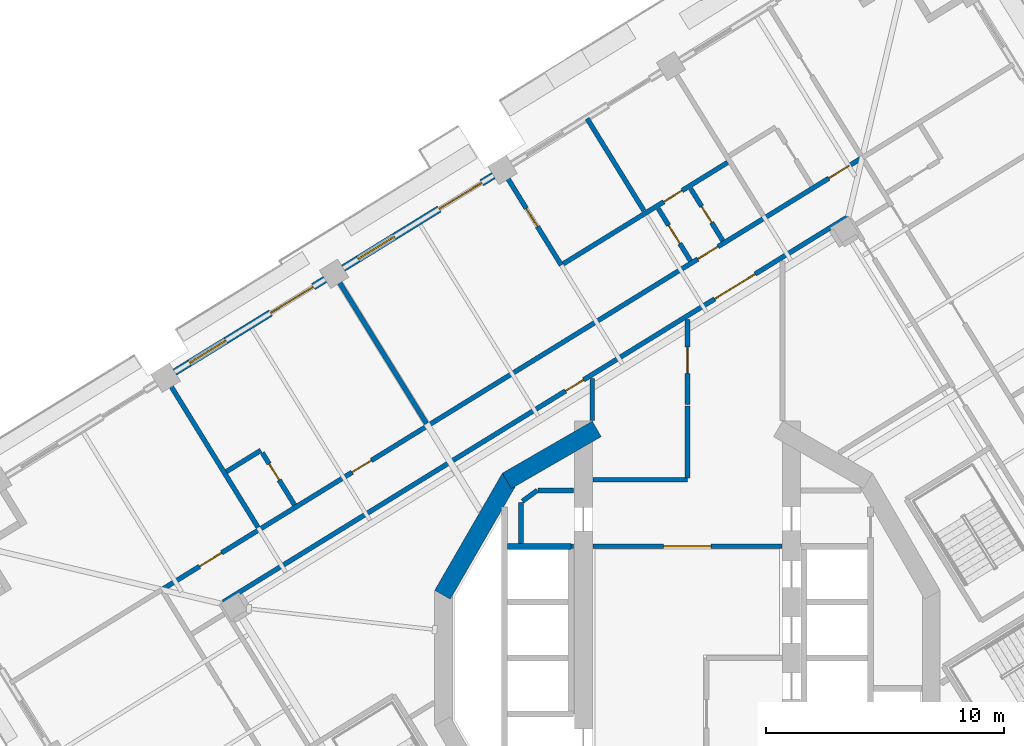
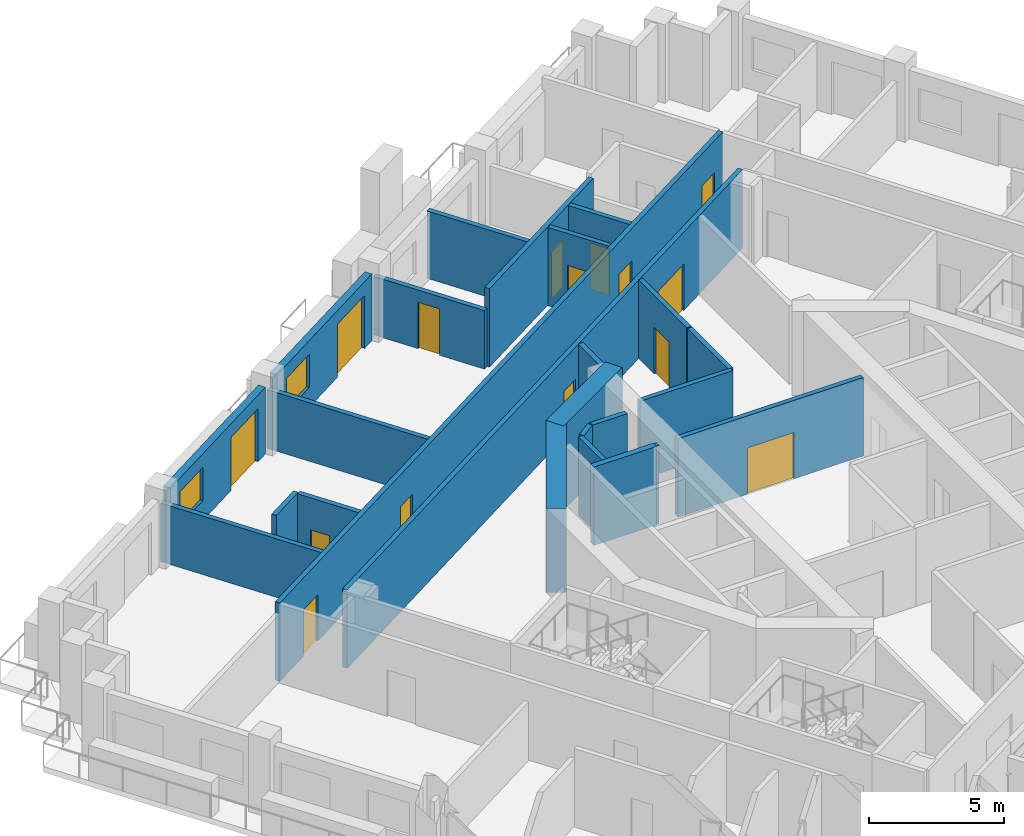
# One storey, part 12 of 22: 25 walls, 15 doors, 2 windows, 17 openings.
"""IFC4 building model written with IfcOpenShell, lengths in metres."""

from ifc_helpers import new_model, si_unit, direction, frame, frame_2d, origin, place, context, subcontext, project, spatial, rectangle, extrude, material, layer, layer_set, type_object, element, fill, save


model = new_model("IFC4")

# Units and contexts
model_context = context("Model", 3, precision=1e-05, world=origin(), true_north=direction((0.0, 1.0)))
body_context = subcontext(model_context, "Body", "Model", "MODEL_VIEW")
ifc_project = project(units=[si_unit("LENGTHUNIT", "METRE"), si_unit("AREAUNIT", "SQUARE_METRE"), si_unit("VOLUMEUNIT", "CUBIC_METRE"), si_unit("PLANEANGLEUNIT", "RADIAN"), si_unit("MASSUNIT", "GRAM", prefix="KILO")], contexts=[model_context])

# Site, building, storey
site_placement = place(None, origin())
site = spatial("IfcSite", under=ifc_project, at=site_placement, CompositionType="ELEMENT")
building_placement = place(site_placement, origin())
building = spatial("IfcBuilding", under=site, at=building_placement, Name="Cantera Rosa Tower", CompositionType="ELEMENT")
storey_placement = place(building_placement, frame((0.0, 0.0, 178.0)))
storey = spatial("IfcBuildingStorey", under=building, at=storey_placement, Name="L39", CompositionType="ELEMENT", Elevation=178.0)

# Wall, opening, door
ifc_material_1 = material(Name="Gypsum board partition")
ifc_layer_1 = layer(ifc_material_1, 0.199951171875)
ifc_layer_set_1 = layer_set([ifc_layer_1], Name="CORRIDOR WALL 200 H3550")
wall_type_1 = type_object("IfcWallType", Name="CORRIDOR WALL 200 H3550", PredefinedType="PARTITIONING", material=ifc_layer_set_1)
wall_1_placement = place(storey_placement, frame((-3.969970703125, 4.699951171875, 0.0), z_axis=(0.0, 0.0, 1.0), x_axis=(1.0, 0.0, 0.0)))
wall_1 = element("IfcWall", 1, at=wall_1_placement, inside=storey, type_object=wall_type_1, Name="CORRIDOR WALL L39-057", PredefinedType="PARTITIONING", context=body_context, shape_type="SweptSolid", body=[
    extrude(rectangle(XDim=7.93994140625, YDim=0.199951171875, at=frame_2d((3.969970703125, 0.0))), origin(), (0.0, 0.0, 1.0), 3.550048828125),
])
opening_1_placement = place(wall_1_placement, frame((2.969970703125, 0.0, 0.0)))
opening_1 = element("IfcOpeningElement", 2, at=opening_1_placement, cuts=wall_1, Name="Opening L39-012", PredefinedType="OPENING", context=body_context, shape_type="SweptSolid", body=[
    extrude(rectangle(XDim=2.0, YDim=2.10009765625, at=frame_2d((1.0, 1.050048828125))), frame((0.0, 0.10986328125, 0.0), z_axis=(0.0, -1.0, 0.0), x_axis=(1.0, 0.0, 0.0)), (0.0, 0.0, 1.0), 0.219970703125),
])
ifc_material_2 = material(Name="Steel S355J2 (EN 10025-2)", Category="steel")
door_type_1 = type_object("IfcDoorType", Name="LOBBY SCREEN DOOR 2000x2100", OperationType="NOTDEFINED", PredefinedType="DOOR", material=ifc_material_2)
door_1_placement = place(opening_1_placement, origin())
door_1 = element("IfcDoor", 3, at=door_1_placement, inside=storey, type_object=door_type_1, Name="DOOR L39-012", OperationType="NOTDEFINED", OverallHeight=2.10009765625, OverallWidth=2.0, PredefinedType="DOOR", context=body_context, shape_type="SweptSolid", body=[
    extrude(rectangle(XDim=2.0, YDim=2.10009765625, at=frame_2d((1.0, 1.050048828125))), frame((0.0, 0.02490234375, 0.0), z_axis=(0.0, -1.0, 0.0), x_axis=(1.0, 0.0, 0.0)), (0.0, 0.0, 1.0), 0.050048828125),
])
fill(opening_1, door_1)

# Walls
wall_2_placement = place(storey_placement, frame((-3.969970703125, 7.5, 0.0), z_axis=(0.0, 0.0, 1.0), x_axis=(1.0, 0.0, 0.0)))
element("IfcWall", 4, at=wall_2_placement, inside=storey, type_object=wall_type_1, Name="CORRIDOR WALL L39-058", PredefinedType="PARTITIONING", context=body_context, shape_type="SweptSolid", body=[
    extrude(rectangle(XDim=3.969970703125, YDim=0.199951171875, at=frame_2d((1.98486328125, 0.0))), origin(), (0.0, 0.0, 1.0), 3.550048828125),
])
wall_3_placement = place(storey_placement, frame((0.0, 7.580078125, 0.0), z_axis=(0.0, 0.0, 1.0), x_axis=(0.0, 1.0, 0.0)))
element("IfcWall", 5, at=wall_3_placement, inside=storey, type_object=wall_type_1, Name="CORRIDOR WALL L39-066", PredefinedType="PARTITIONING", context=body_context, shape_type="SweptSolid", body=[
    extrude(rectangle(XDim=3.01513671875, YDim=0.199951171875, at=frame_2d((1.507568359375, 0.0))), origin(), (0.0, 0.0, 1.0), 3.550048828125),
])

# Wall, opening, door
wall_4_placement = place(storey_placement, frame((0.0, 10.6552734375, 0.0), z_axis=(0.0, 0.0, 1.0), x_axis=(0.0, 1.0, 0.0)))
wall_4 = element("IfcWall", 6, at=wall_4_placement, inside=storey, type_object=wall_type_1, Name="CORRIDOR WALL L39-067", PredefinedType="PARTITIONING", context=body_context, shape_type="SweptSolid", body=[
    extrude(rectangle(XDim=3.57763671875, YDim=0.199951171875, at=frame_2d((1.788818359375, 0.0))), origin(), (0.0, 0.0, 1.0), 3.550048828125),
])
opening_2_placement = place(wall_4_placement, frame((1.31884765625, 0.0, 0.0)))
opening_2 = element("IfcOpeningElement", 7, at=opening_2_placement, cuts=wall_4, Name="Opening L39-016", PredefinedType="OPENING", context=body_context, shape_type="SweptSolid", body=[
    extrude(rectangle(XDim=1.10009765625, YDim=2.10009765625, at=frame_2d((0.550048828125, 1.050048828125))), frame((0.0, 0.10986328125, 0.0), z_axis=(0.0, -1.0, 0.0), x_axis=(1.0, 0.0, 0.0)), (0.0, 0.0, 1.0), 0.219970703125),
])
ifc_material_3 = material(Name="Timber door leaf", Category="wood")
door_type_2 = type_object("IfcDoorType", Name="ROOM DOOR 1100x2100", OperationType="NOTDEFINED", PredefinedType="DOOR", material=ifc_material_3)
door_2_placement = place(opening_2_placement, origin())
door_2 = element("IfcDoor", 8, at=door_2_placement, inside=storey, type_object=door_type_2, Name="DOOR L39-016", OperationType="NOTDEFINED", OverallHeight=2.10009765625, OverallWidth=1.10009765625, PredefinedType="DOOR", context=body_context, shape_type="SweptSolid", body=[
    extrude(rectangle(XDim=1.10009765625, YDim=2.10009765625, at=frame_2d((0.550048828125, 1.050048828125))), frame((0.0, 0.02490234375, 0.0), z_axis=(0.0, -1.0, 0.0), x_axis=(1.0, 0.0, 0.0)), (0.0, 0.0, 1.0), 0.050048828125),
])
fill(opening_2, door_2)

# Wall, openings, doors
wall_5_placement = place(storey_placement, frame((6.76123046875, 18.563232421875, 0.0), z_axis=(0.0, 0.0, 1.0), x_axis=(-0.851115762051, -0.524978056292, 0.0)))
wall_5 = element("IfcWall", 9, at=wall_5_placement, inside=storey, type_object=wall_type_1, Name="CORRIDOR WALL L39-088", PredefinedType="PARTITIONING", context=body_context, shape_type="SweptSolid", body=[
    extrude(rectangle(XDim=30.879638671875, YDim=0.199951171875, at=frame_2d((15.43994140625, 0.0))), origin(), (0.0, 0.0, 1.0), 3.550048828125),
])
opening_3_placement = place(wall_5_placement, frame((13.066650390625, 0.0, 0.0)))
opening_3 = element("IfcOpeningElement", 10, at=opening_3_placement, cuts=wall_5, Name="Opening L39-006", PredefinedType="OPENING", context=body_context, shape_type="SweptSolid", body=[
    extrude(rectangle(XDim=0.89990234375, YDim=2.10009765625, at=frame_2d((0.449951171875, 1.050048828125))), frame((0.0, 0.10986328125, 0.0), z_axis=(0.0, -1.0, 0.0), x_axis=(1.0, 0.0, 0.0)), (0.0, 0.0, 1.0), 0.219970703125),
])
opening_4_placement = place(wall_5_placement, frame((4.59423828125, 0.0, 0.0)))
opening_4 = element("IfcOpeningElement", 11, at=opening_4_placement, cuts=wall_5, Name="Opening L39-011", PredefinedType="OPENING", context=body_context, shape_type="SweptSolid", body=[
    extrude(rectangle(XDim=2.0, YDim=2.10009765625, at=frame_2d((1.0, 1.050048828125))), frame((0.0, 0.10986328125, 0.0), z_axis=(0.0, -1.0, 0.0), x_axis=(1.0, 0.0, 0.0)), (0.0, 0.0, 1.0), 0.219970703125),
])
door_3_placement = place(opening_4_placement, origin())
door_3 = element("IfcDoor", 12, at=door_3_placement, inside=storey, type_object=door_type_1, Name="DOOR L39-011", OperationType="NOTDEFINED", OverallHeight=2.10009765625, OverallWidth=2.0, PredefinedType="DOOR", context=body_context, shape_type="SweptSolid", body=[
    extrude(rectangle(XDim=2.0, YDim=2.10009765625, at=frame_2d((1.0, 1.050048828125))), frame((0.0, 0.02490234375, 0.0), z_axis=(0.0, -1.0, 0.0), x_axis=(1.0, 0.0, 0.0)), (0.0, 0.0, 1.0), 0.050048828125),
])
fill(opening_4, door_3)
ifc_material_4 = material(Name="Timber door leaf", Category="wood")
door_type_3 = type_object("IfcDoorType", Name="SERVICE DOOR 900x2100", OperationType="NOTDEFINED", PredefinedType="DOOR", material=ifc_material_4)
door_4_placement = place(opening_3_placement, origin())
door_4 = element("IfcDoor", 13, at=door_4_placement, inside=storey, type_object=door_type_3, Name="DOOR L39-006", OperationType="NOTDEFINED", OverallHeight=2.10009765625, OverallWidth=0.89990234375, PredefinedType="DOOR", context=body_context, shape_type="SweptSolid", body=[
    extrude(rectangle(XDim=0.89990234375, YDim=2.10009765625, at=frame_2d((0.449951171875, 1.050048828125))), frame((0.0, 0.02490234375, 0.0), z_axis=(0.0, -1.0, 0.0), x_axis=(1.0, 0.0, 0.0)), (0.0, 0.0, 1.0), 0.050048828125),
])
fill(opening_3, door_4)

wall_6_placement = place(storey_placement, frame((7.348388671875, 21.040283203125, 0.0), z_axis=(0.0, 0.0, 1.0), x_axis=(-0.85111711572, -0.524975861662, 0.0)))
wall_6 = element("IfcWall", 14, at=wall_6_placement, inside=storey, type_object=wall_type_1, Name="CORRIDOR WALL L39-092", PredefinedType="PARTITIONING", context=body_context, shape_type="SweptSolid", body=[
    extrude(rectangle(XDim=34.599853515625, YDim=0.199951171875, at=frame_2d((17.2998046875, 0.0))), origin(), (0.0, 0.0, 1.0), 3.550048828125),
])
opening_5_placement = place(wall_6_placement, frame((7.1201171875, 0.0, 0.0)))
opening_5 = element("IfcOpeningElement", 15, at=opening_5_placement, cuts=wall_6, Name="Opening L39-032", PredefinedType="OPENING", context=body_context, shape_type="SweptSolid", body=[
    extrude(rectangle(XDim=1.0, YDim=2.10009765625, at=frame_2d((0.5, 1.050048828125))), frame((0.0, 0.10986328125, 0.0), z_axis=(0.0, -1.0, 0.0), x_axis=(1.0, 0.0, 0.0)), (0.0, 0.0, 1.0), 0.219970703125),
])
opening_6_placement = place(wall_6_placement, frame((24.2451171875, 0.0, 0.0)))
opening_6 = element("IfcOpeningElement", 16, at=opening_6_placement, cuts=wall_6, Name="Opening L39-037", PredefinedType="OPENING", context=body_context, shape_type="SweptSolid", body=[
    extrude(rectangle(XDim=0.949951171875, YDim=2.10009765625, at=frame_2d((0.47509765625, 1.050048828125))), frame((0.0, 0.10986328125, 0.0), z_axis=(0.0, -1.0, 0.0), x_axis=(1.0, 0.0, 0.0)), (0.0, 0.0, 1.0), 0.219970703125),
])
opening_7_placement = place(wall_6_placement, frame((0.64990234375, 0.0, 0.0)))
opening_7 = element("IfcOpeningElement", 17, at=opening_7_placement, cuts=wall_6, Name="Opening L39-039", PredefinedType="OPENING", context=body_context, shape_type="SweptSolid", body=[
    extrude(rectangle(XDim=1.0, YDim=2.10009765625, at=frame_2d((0.5, 1.050048828125))), frame((0.0, 0.10986328125, 0.0), z_axis=(0.0, -1.0, 0.0), x_axis=(1.0, 0.0, 0.0)), (0.0, 0.0, 1.0), 0.219970703125),
])
opening_8_placement = place(wall_6_placement, frame((31.639892578125, 0.0, 0.0)))
opening_8 = element("IfcOpeningElement", 18, at=opening_8_placement, cuts=wall_6, Name="Opening L39-042", PredefinedType="OPENING", context=body_context, shape_type="SweptSolid", body=[
    extrude(rectangle(XDim=1.10009765625, YDim=2.10009765625, at=frame_2d((0.550048828125, 1.050048828125))), frame((0.0, 0.10986328125, 0.0), z_axis=(0.0, -1.0, 0.0), x_axis=(1.0, 0.0, 0.0)), (0.0, 0.0, 1.0), 0.219970703125),
])
ifc_material_5 = material(Name="Timber door leaf", Category="wood")
door_type_4 = type_object("IfcDoorType", Name="ENTRANCE DOOR 1000x2100", OperationType="NOTDEFINED", PredefinedType="DOOR", material=ifc_material_5)
door_5_placement = place(opening_5_placement, origin())
door_5 = element("IfcDoor", 19, at=door_5_placement, inside=storey, type_object=door_type_4, Name="DOOR L39-032", OperationType="NOTDEFINED", OverallHeight=2.10009765625, OverallWidth=1.0, PredefinedType="DOOR", context=body_context, shape_type="SweptSolid", body=[
    extrude(rectangle(XDim=1.0, YDim=2.10009765625, at=frame_2d((0.5, 1.050048828125))), frame((0.0, 0.02490234375, 0.0), z_axis=(0.0, -1.0, 0.0), x_axis=(1.0, 0.0, 0.0)), (0.0, 0.0, 1.0), 0.050048828125),
])
fill(opening_5, door_5)
door_6_placement = place(opening_7_placement, origin())
door_6 = element("IfcDoor", 20, at=door_6_placement, inside=storey, type_object=door_type_4, Name="DOOR L39-039", OperationType="NOTDEFINED", OverallHeight=2.10009765625, OverallWidth=1.0, PredefinedType="DOOR", context=body_context, shape_type="SweptSolid", body=[
    extrude(rectangle(XDim=1.0, YDim=2.10009765625, at=frame_2d((0.5, 1.050048828125))), frame((0.0, 0.02490234375, 0.0), z_axis=(0.0, -1.0, 0.0), x_axis=(1.0, 0.0, 0.0)), (0.0, 0.0, 1.0), 0.050048828125),
])
fill(opening_7, door_6)
door_7_placement = place(opening_8_placement, origin())
door_7 = element("IfcDoor", 21, at=door_7_placement, inside=storey, type_object=door_type_2, Name="DOOR L39-042", OperationType="NOTDEFINED", OverallHeight=2.10009765625, OverallWidth=1.10009765625, PredefinedType="DOOR", context=body_context, shape_type="SweptSolid", body=[
    extrude(rectangle(XDim=1.10009765625, YDim=2.10009765625, at=frame_2d((0.550048828125, 1.050048828125))), frame((0.0, 0.02490234375, 0.0), z_axis=(0.0, -1.0, 0.0), x_axis=(1.0, 0.0, 0.0)), (0.0, 0.0, 1.0), 0.050048828125),
])
fill(opening_8, door_7)
ifc_material_6 = material(Name="Timber door leaf", Category="wood")
door_type_5 = type_object("IfcDoorType", Name="ROOM DOOR 950x2100", OperationType="NOTDEFINED", PredefinedType="DOOR", material=ifc_material_6)
door_8_placement = place(opening_6_placement, origin())
door_8 = element("IfcDoor", 22, at=door_8_placement, inside=storey, type_object=door_type_5, Name="DOOR L39-037", OperationType="NOTDEFINED", OverallHeight=2.10009765625, OverallWidth=0.949951171875, PredefinedType="DOOR", context=body_context, shape_type="SweptSolid", body=[
    extrude(rectangle(XDim=0.949951171875, YDim=2.10009765625, at=frame_2d((0.47509765625, 1.050048828125))), frame((0.0, 0.02490234375, 0.0), z_axis=(0.0, -1.0, 0.0), x_axis=(1.0, 0.0, 0.0)), (0.0, 0.0, 1.0), 0.050048828125),
])
fill(opening_6, door_8)

# Wall, openings, window, door
ifc_material_7 = material(Name="Hollow clay masonry with cantera stone cladding", Category="masonry")
ifc_layer_2 = layer(ifc_material_7, 0.300048828125)
ifc_layer_set_2 = layer_set([ifc_layer_2], Name="EW-LOGGIA 300 H3020")
wall_type_2 = type_object("IfcWallType", Name="EW-LOGGIA 300 H3020", PredefinedType="SOLIDWALL", material=ifc_layer_set_2)
wall_7_placement = place(storey_placement, frame((-8.155517578125, 20.289306640625, 0.0), z_axis=(0.0, 0.0, 1.0), x_axis=(-0.851111085575, -0.524985637909, 0.0)))
wall_7 = element("IfcWall", 23, at=wall_7_placement, inside=storey, type_object=wall_type_2, Name="EN-L39-W10", PredefinedType="SOLIDWALL", context=body_context, shape_type="SweptSolid", body=[
    extrude(rectangle(XDim=7.420166015625, YDim=0.300048828125, at=frame_2d((3.7099609375, 0.0))), origin(), (0.0, 0.0, 1.0), 3.02001953125),
])
opening_9_placement = place(wall_7_placement, frame((0.580078125, 0.0, 0.0)))
opening_9 = element("IfcOpeningElement", 24, at=opening_9_placement, cuts=wall_7, Name="Opening L39-TD15", PredefinedType="OPENING", context=body_context, shape_type="SweptSolid", body=[
    extrude(rectangle(XDim=2.10009765625, YDim=2.39990234375, at=frame_2d((1.050048828125, 1.199951171875))), frame((0.0, 0.159912109375, 0.0), z_axis=(0.0, -1.0, 0.0), x_axis=(1.0, 0.0, 0.0)), (0.0, 0.0, 1.0), 0.320068359375),
])
opening_10_placement = place(wall_7_placement, frame((4.889892578125, 0.0, 0.89990234375)))
opening_10 = element("IfcOpeningElement", 25, at=opening_10_placement, cuts=wall_7, Name="Opening L39-W16", PredefinedType="OPENING", context=body_context, shape_type="SweptSolid", body=[
    extrude(rectangle(XDim=1.800048828125, YDim=1.5, at=frame_2d((0.89990234375, 0.75))), frame((0.0, 0.159912109375, 0.0), z_axis=(0.0, -1.0, 0.0), x_axis=(1.0, 0.0, 0.0)), (0.0, 0.0, 1.0), 0.320068359375),
])
ifc_material_8 = material(Name="Aluminium frame with clear glass", Category="aluminium")
window_type = type_object("IfcWindowType", Name="Hotel room window 1800x1500", PartitioningType="DOUBLE_PANEL_VERTICAL", PredefinedType="WINDOW", material=ifc_material_8)
window_1_placement = place(opening_10_placement, origin())
window_1 = element("IfcWindow", 26, at=window_1_placement, inside=storey, type_object=window_type, Name="WINDOW L39-W16", OverallHeight=1.5, OverallWidth=1.800048828125, PartitioningType="SINGLE_PANEL", PredefinedType="WINDOW", context=body_context, shape_type="SweptSolid", body=[
    extrude(rectangle(XDim=1.800048828125, YDim=1.5, at=frame_2d((0.89990234375, 0.75))), frame((0.0, 0.030029296875, 0.0), z_axis=(0.0, -1.0, 0.0), x_axis=(1.0, 0.0, 0.0)), (0.0, 0.0, 1.0), 0.06005859375),
])
fill(opening_10, window_1)
ifc_material_9 = material(Name="Aluminium frame with clear glass", Category="aluminium")
door_type_6 = type_object("IfcDoorType", Name="TD-H 2100x2400", OperationType="NOTDEFINED", PredefinedType="DOOR", material=ifc_material_9)
door_9_placement = place(opening_9_placement, origin())
door_9 = element("IfcDoor", 27, at=door_9_placement, inside=storey, type_object=door_type_6, Name="LOGGIA DOOR L39-TD15", OperationType="SLIDING_TO_LEFT", OverallHeight=2.39990234375, OverallWidth=2.10009765625, PredefinedType="DOOR", context=body_context, shape_type="SweptSolid", body=[
    extrude(rectangle(XDim=2.10009765625, YDim=2.39990234375, at=frame_2d((1.050048828125, 1.199951171875))), frame((0.0, 0.02490234375, 0.0), z_axis=(0.0, -1.0, 0.0), x_axis=(1.0, 0.0, 0.0)), (0.0, 0.0, 1.0), 0.050048828125),
])
fill(opening_9, door_9)

wall_8_placement = place(storey_placement, frame((-15.23681640625, 15.92138671875, 0.0), z_axis=(0.0, 0.0, 1.0), x_axis=(-0.85112578684, -0.524961803349, 0.0)))
wall_8 = element("IfcWall", 28, at=wall_8_placement, inside=storey, type_object=wall_type_2, Name="EN-L39-W11", PredefinedType="SOLIDWALL", context=body_context, shape_type="SweptSolid", body=[
    extrude(rectangle(XDim=7.420166015625, YDim=0.300048828125, at=frame_2d((3.7099609375, 0.0))), origin(), (0.0, 0.0, 1.0), 3.02001953125),
])
opening_11_placement = place(wall_8_placement, frame((0.580078125, 0.0, 0.0)))
opening_11 = element("IfcOpeningElement", 29, at=opening_11_placement, cuts=wall_8, Name="Opening L39-TD17", PredefinedType="OPENING", context=body_context, shape_type="SweptSolid", body=[
    extrude(rectangle(XDim=2.10009765625, YDim=2.39990234375, at=frame_2d((1.050048828125, 1.199951171875))), frame((0.0, 0.159912109375, 0.0), z_axis=(0.0, -1.0, 0.0), x_axis=(1.0, 0.0, 0.0)), (0.0, 0.0, 1.0), 0.320068359375),
])
opening_12_placement = place(wall_8_placement, frame((4.889892578125, 0.0, 0.89990234375)))
opening_12 = element("IfcOpeningElement", 30, at=opening_12_placement, cuts=wall_8, Name="Opening L39-W18", PredefinedType="OPENING", context=body_context, shape_type="SweptSolid", body=[
    extrude(rectangle(XDim=1.800048828125, YDim=1.5, at=frame_2d((0.89990234375, 0.75))), frame((0.0, 0.159912109375, 0.0), z_axis=(0.0, -1.0, 0.0), x_axis=(1.0, 0.0, 0.0)), (0.0, 0.0, 1.0), 0.320068359375),
])
window_2_placement = place(opening_12_placement, origin())
window_2 = element("IfcWindow", 31, at=window_2_placement, inside=storey, type_object=window_type, Name="WINDOW L39-W18", OverallHeight=1.5, OverallWidth=1.800048828125, PartitioningType="SINGLE_PANEL", PredefinedType="WINDOW", context=body_context, shape_type="SweptSolid", body=[
    extrude(rectangle(XDim=1.800048828125, YDim=1.5, at=frame_2d((0.89990234375, 0.75))), frame((0.0, 0.030029296875, 0.0), z_axis=(0.0, -1.0, 0.0), x_axis=(1.0, 0.0, 0.0)), (0.0, 0.0, 1.0), 0.06005859375),
])
fill(opening_12, window_2)
door_10_placement = place(opening_11_placement, origin())
door_10 = element("IfcDoor", 32, at=door_10_placement, inside=storey, type_object=door_type_6, Name="LOGGIA DOOR L39-TD17", OperationType="SLIDING_TO_LEFT", OverallHeight=2.39990234375, OverallWidth=2.10009765625, PredefinedType="DOOR", context=body_context, shape_type="SweptSolid", body=[
    extrude(rectangle(XDim=2.10009765625, YDim=2.39990234375, at=frame_2d((1.050048828125, 1.199951171875))), frame((0.0, 0.02490234375, 0.0), z_axis=(0.0, -1.0, 0.0), x_axis=(1.0, 0.0, 0.0)), (0.0, 0.0, 1.0), 0.050048828125),
])
fill(opening_11, door_10)

# Wall, opening, door
ifc_material_10 = material(Name="Gypsum board partition")
ifc_layer_3 = layer(ifc_material_10, 0.199951171875)
ifc_layer_set_3 = layer_set([ifc_layer_3], Name="PARTITION 200 H2650")
wall_type_3 = type_object("IfcWallType", Name="PARTITION 200 H2650", PredefinedType="PARTITIONING", material=ifc_layer_set_3)
wall_9_placement = place(storey_placement, frame((-5.30517578125, 16.525146484375, 0.0), z_axis=(0.0, 0.0, 1.0), x_axis=(-0.524966343151, 0.851122986741, 0.0)))
wall_9 = element("IfcWall", 33, at=wall_9_placement, inside=storey, type_object=wall_type_3, Name="PARTITION L39-048", PredefinedType="PARTITIONING", context=body_context, shape_type="SweptSolid", body=[
    extrude(rectangle(XDim=4.670166015625, YDim=0.199951171875, at=frame_2d((2.3349609375, 0.0))), origin(), (0.0, 0.0, 1.0), 2.64990234375),
])
opening_13_placement = place(wall_9_placement, frame((1.89990234375, 0.0, 0.0)))
opening_13 = element("IfcOpeningElement", 34, at=opening_13_placement, cuts=wall_9, Name="Opening L39-036", PredefinedType="OPENING", context=body_context, shape_type="SweptSolid", body=[
    extrude(rectangle(XDim=0.89990234375, YDim=2.10009765625, at=frame_2d((0.449951171875, 1.050048828125))), frame((0.0, 0.10986328125, 0.0), z_axis=(0.0, -1.0, 0.0), x_axis=(1.0, 0.0, 0.0)), (0.0, 0.0, 1.0), 0.219970703125),
])
ifc_material_11 = material(Name="Timber door leaf", Category="wood")
door_type_7 = type_object("IfcDoorType", Name="ROOM DOOR 900x2100", OperationType="NOTDEFINED", PredefinedType="DOOR", material=ifc_material_11)
door_11_placement = place(opening_13_placement, origin())
door_11 = element("IfcDoor", 35, at=door_11_placement, inside=storey, type_object=door_type_7, Name="DOOR L39-036", OperationType="NOTDEFINED", OverallHeight=2.10009765625, OverallWidth=0.89990234375, PredefinedType="DOOR", context=body_context, shape_type="SweptSolid", body=[
    extrude(rectangle(XDim=0.89990234375, YDim=2.10009765625, at=frame_2d((0.449951171875, 1.050048828125))), frame((0.0, 0.02490234375, 0.0), z_axis=(0.0, -1.0, 0.0), x_axis=(1.0, 0.0, 0.0)), (0.0, 0.0, 1.0), 0.050048828125),
])
fill(opening_13, door_11)

# Walls
ifc_material_12 = material(Name="Gypsum board partition")
ifc_layer_4 = layer(ifc_material_12, 0.199951171875)
ifc_layer_set_4 = layer_set([ifc_layer_4], Name="PARTITION 200 H3050")
wall_type_4 = type_object("IfcWallType", Name="PARTITION 200 H3050", PredefinedType="PARTITIONING", material=ifc_layer_set_4)
wall_10_placement = place(storey_placement, frame((-1.82763671875, 18.811279296875, 0.0), z_axis=(0.0, 0.0, 1.0), x_axis=(-0.524983293877, 0.851112531426, 0.0)))
element("IfcWall", 36, at=wall_10_placement, inside=storey, type_object=wall_type_4, Name="PARTITION L39-061", PredefinedType="PARTITIONING", context=body_context, shape_type="SweptSolid", body=[
    extrude(rectangle(XDim=4.550048828125, YDim=0.199951171875, at=frame_2d((2.27490234375, 0.0))), origin(), (0.0, 0.0, 1.0), 3.050048828125),
])
ifc_material_13 = material(Name="Gypsum board partition")
ifc_layer_5 = layer(ifc_material_13, 0.199951171875)
ifc_layer_set_5 = layer_set([ifc_layer_5], Name="PARTITION 200 H3550")
wall_type_5 = type_object("IfcWallType", Name="PARTITION 200 H3550", PredefinedType="PARTITIONING", material=ifc_layer_set_5)
wall_11_placement = place(storey_placement, frame((-19.3828125, 7.842041015625, 0.0), z_axis=(0.0, 0.0, 1.0), x_axis=(0.851105638601, 0.524994468487, 0.0)))
element("IfcWall", 37, at=wall_11_placement, inside=storey, type_object=wall_type_5, Name="PARTITION L39-006", PredefinedType="PARTITIONING", context=body_context, shape_type="SweptSolid", body=[
    extrude(rectangle(XDim=1.7001953125, YDim=0.199951171875, at=frame_2d((0.85009765625, 0.0))), origin(), (0.0, 0.0, 1.0), 3.550048828125),
])

# Wall, opening, door
wall_12_placement = place(storey_placement, frame((-17.872802734375, 8.63232421875, 0.0), z_axis=(0.0, 0.0, 1.0), x_axis=(0.525005247362, -0.851098989685, 0.0)))
wall_12 = element("IfcWall", 38, at=wall_12_placement, inside=storey, type_object=wall_type_5, Name="PARTITION L39-010", PredefinedType="PARTITIONING", context=body_context, shape_type="SweptSolid", body=[
    extrude(rectangle(XDim=2.580078125, YDim=0.199951171875, at=frame_2d((1.2900390625, 0.0))), origin(), (0.0, 0.0, 1.0), 3.550048828125),
])
opening_14_placement = place(wall_12_placement, frame((0.5439453125, 0.0, 0.0)))
opening_14 = element("IfcOpeningElement", 39, at=opening_14_placement, cuts=wall_12, Name="Opening L39-038", PredefinedType="OPENING", context=body_context, shape_type="SweptSolid", body=[
    extrude(rectangle(XDim=0.800048828125, YDim=2.10009765625, at=frame_2d((0.39990234375, 1.050048828125))), frame((0.0, 0.10986328125, 0.0), z_axis=(0.0, -1.0, 0.0), x_axis=(1.0, 0.0, 0.0)), (0.0, 0.0, 1.0), 0.219970703125),
])
ifc_material_14 = material(Name="Timber door leaf", Category="wood")
door_type_8 = type_object("IfcDoorType", Name="BATHROOM DOOR 800x2100", OperationType="NOTDEFINED", PredefinedType="DOOR", material=ifc_material_14)
door_12_placement = place(opening_14_placement, origin())
door_12 = element("IfcDoor", 40, at=door_12_placement, inside=storey, type_object=door_type_8, Name="DOOR L39-038", OperationType="NOTDEFINED", OverallHeight=2.10009765625, OverallWidth=0.800048828125, PredefinedType="DOOR", context=body_context, shape_type="SweptSolid", body=[
    extrude(rectangle(XDim=0.800048828125, YDim=2.10009765625, at=frame_2d((0.39990234375, 1.050048828125))), frame((0.0, 0.02490234375, 0.0), z_axis=(0.0, -1.0, 0.0), x_axis=(1.0, 0.0, 0.0)), (0.0, 0.0, 1.0), 0.050048828125),
])
fill(opening_14, door_12)

# Walls
wall_13_placement = place(storey_placement, frame((-7.0, 4.824951171875, 0.0), z_axis=(0.0, 0.0, 1.0), x_axis=(0.0, 1.0, 0.0)))
element("IfcWall", 41, at=wall_13_placement, inside=storey, type_object=wall_type_5, Name="PARTITION L39-042", PredefinedType="PARTITIONING", context=body_context, shape_type="SweptSolid", body=[
    extrude(rectangle(XDim=1.72509765625, YDim=0.199951171875, at=frame_2d((0.862548828125, 0.0))), origin(), (0.0, 0.0, 1.0), 3.550048828125),
])
wall_14_placement = place(storey_placement, frame((-6.935302734375, 6.59716796875, 0.0), z_axis=(0.0, 0.0, 1.0), x_axis=(0.808227862651, 0.588869868506, 0.0)))
element("IfcWall", 42, at=wall_14_placement, inside=storey, type_object=wall_type_5, Name="PARTITION L39-043", PredefinedType="PARTITIONING", context=body_context, shape_type="SweptSolid", body=[
    extrude(rectangle(XDim=0.76904296875, YDim=0.199951171875, at=frame_2d((0.384521484375, 0.0))), origin(), (0.0, 0.0, 1.0), 3.550048828125),
])
wall_15_placement = place(storey_placement, frame((-6.273681640625, 7.050048828125, 0.0), z_axis=(0.0, 0.0, 1.0), x_axis=(1.0, 0.0, 0.0)))
element("IfcWall", 43, at=wall_15_placement, inside=storey, type_object=wall_type_5, Name="PARTITION L39-046", PredefinedType="PARTITIONING", context=body_context, shape_type="SweptSolid", body=[
    extrude(rectangle(XDim=1.49365234375, YDim=0.199951171875, at=frame_2d((0.746826171875, 0.0))), origin(), (0.0, 0.0, 1.0), 3.550048828125),
])
wall_16_placement = place(storey_placement, frame((-4.780029296875, 4.699951171875, 0.0), z_axis=(0.0, 0.0, 1.0), x_axis=(-1.0, 0.0, 0.0)))
element("IfcWall", 44, at=wall_16_placement, inside=storey, type_object=wall_type_5, Name="PARTITION L39-052", PredefinedType="PARTITIONING", context=body_context, shape_type="SweptSolid", body=[
    extrude(rectangle(XDim=0.119873046875, YDim=0.199951171875, at=frame_2d((0.06005859375, 0.0))), origin(), (0.0, 0.0, 1.0), 3.550048828125),
])
wall_17_placement = place(storey_placement, frame((-4.0, 11.765625, 0.0), z_axis=(0.0, 0.0, 1.0), x_axis=(0.0, -1.0, 0.0)))
element("IfcWall", 45, at=wall_17_placement, inside=storey, type_object=wall_type_5, Name="PARTITION L39-056", PredefinedType="PARTITIONING", context=body_context, shape_type="SweptSolid", body=[
    extrude(rectangle(XDim=1.771484375, YDim=0.199951171875, at=frame_2d((0.8857421875, 0.0))), origin(), (0.0, 0.0, 1.0), 3.550048828125),
])

# Wall, opening, door
wall_18_placement = place(storey_placement, frame((0.12939453125, 16.705078125, 0.0), z_axis=(0.0, 0.0, 1.0), x_axis=(-0.524936695429, 0.851141272523, 0.0)))
wall_18 = element("IfcWall", 46, at=wall_18_placement, inside=storey, type_object=wall_type_5, Name="PARTITION L39-068", PredefinedType="PARTITIONING", context=body_context, shape_type="SweptSolid", body=[
    extrude(rectangle(XDim=2.579833984375, YDim=0.199951171875, at=frame_2d((1.2900390625, 0.0))), origin(), (0.0, 0.0, 1.0), 3.550048828125),
])
opening_15_placement = place(wall_18_placement, frame((0.85009765625, 0.0, 0.0)))
opening_15 = element("IfcOpeningElement", 47, at=opening_15_placement, cuts=wall_18, Name="Opening L39-034", PredefinedType="OPENING", context=body_context, shape_type="SweptSolid", body=[
    extrude(rectangle(XDim=0.89990234375, YDim=2.10009765625, at=frame_2d((0.449951171875, 1.050048828125))), frame((0.0, 0.10986328125, 0.0), z_axis=(0.0, -1.0, 0.0), x_axis=(1.0, 0.0, 0.0)), (0.0, 0.0, 1.0), 0.219970703125),
])
door_13_placement = place(opening_15_placement, origin())
door_13 = element("IfcDoor", 48, at=door_13_placement, inside=storey, type_object=door_type_7, Name="DOOR L39-034", OperationType="NOTDEFINED", OverallHeight=2.10009765625, OverallWidth=0.89990234375, PredefinedType="DOOR", context=body_context, shape_type="SweptSolid", body=[
    extrude(rectangle(XDim=0.89990234375, YDim=2.10009765625, at=frame_2d((0.449951171875, 1.050048828125))), frame((0.0, 0.02490234375, 0.0), z_axis=(0.0, -1.0, 0.0), x_axis=(1.0, 0.0, 0.0)), (0.0, 0.0, 1.0), 0.050048828125),
])
fill(opening_15, door_13)

wall_19_placement = place(storey_placement, frame((1.4912109375, 17.545166015625, 0.0), z_axis=(0.0, 0.0, 1.0), x_axis=(-0.525005247362, 0.851098989685, 0.0)))
wall_19 = element("IfcWall", 49, at=wall_19_placement, inside=storey, type_object=wall_type_5, Name="PARTITION L39-072", PredefinedType="PARTITIONING", context=body_context, shape_type="SweptSolid", body=[
    extrude(rectangle(XDim=2.580078125, YDim=0.199951171875, at=frame_2d((1.2900390625, 0.0))), origin(), (0.0, 0.0, 1.0), 3.550048828125),
])
opening_16_placement = place(wall_19_placement, frame((0.89990234375, 0.0, 0.0)))
opening_16 = element("IfcOpeningElement", 50, at=opening_16_placement, cuts=wall_19, Name="Opening L39-033", PredefinedType="OPENING", context=body_context, shape_type="SweptSolid", body=[
    extrude(rectangle(XDim=0.800048828125, YDim=2.10009765625, at=frame_2d((0.39990234375, 1.050048828125))), frame((0.0, 0.10986328125, 0.0), z_axis=(0.0, -1.0, 0.0), x_axis=(1.0, 0.0, 0.0)), (0.0, 0.0, 1.0), 0.219970703125),
])
door_14_placement = place(opening_16_placement, origin())
door_14 = element("IfcDoor", 51, at=door_14_placement, inside=storey, type_object=door_type_8, Name="DOOR L39-033", OperationType="NOTDEFINED", OverallHeight=2.10009765625, OverallWidth=0.800048828125, PredefinedType="DOOR", context=body_context, shape_type="SweptSolid", body=[
    extrude(rectangle(XDim=0.800048828125, YDim=2.10009765625, at=frame_2d((0.39990234375, 1.050048828125))), frame((0.0, 0.02490234375, 0.0), z_axis=(0.0, -1.0, 0.0), x_axis=(1.0, 0.0, 0.0)), (0.0, 0.0, 1.0), 0.050048828125),
])
fill(opening_16, door_14)

wall_20_placement = place(storey_placement, frame((1.69091796875, 20.840576171875, 0.0), z_axis=(0.0, 0.0, 1.0), x_axis=(-0.851111760711, -0.524984543372, 0.0)))
wall_20 = element("IfcWall", 52, at=wall_20_placement, inside=storey, type_object=wall_type_5, Name="PARTITION L39-074", PredefinedType="PARTITIONING", context=body_context, shape_type="SweptSolid", body=[
    extrude(rectangle(XDim=8.1201171875, YDim=0.199951171875, at=frame_2d((4.06005859375, 0.0))), origin(), (0.0, 0.0, 1.0), 3.550048828125),
])
opening_17_placement = place(wall_20_placement, frame((2.25, 0.0, 0.0)))
opening_17 = element("IfcOpeningElement", 53, at=opening_17_placement, cuts=wall_20, Name="Opening L39-035", PredefinedType="OPENING", context=body_context, shape_type="SweptSolid", body=[
    extrude(rectangle(XDim=0.89990234375, YDim=2.10009765625, at=frame_2d((0.449951171875, 1.050048828125))), frame((0.0, 0.10986328125, 0.0), z_axis=(0.0, -1.0, 0.0), x_axis=(1.0, 0.0, 0.0)), (0.0, 0.0, 1.0), 0.219970703125),
])
door_15_placement = place(opening_17_placement, origin())
door_15 = element("IfcDoor", 54, at=door_15_placement, inside=storey, type_object=door_type_7, Name="DOOR L39-035", OperationType="NOTDEFINED", OverallHeight=2.10009765625, OverallWidth=0.89990234375, PredefinedType="DOOR", context=body_context, shape_type="SweptSolid", body=[
    extrude(rectangle(XDim=0.89990234375, YDim=2.10009765625, at=frame_2d((0.449951171875, 1.050048828125))), frame((0.0, 0.02490234375, 0.0), z_axis=(0.0, -1.0, 0.0), x_axis=(1.0, 0.0, 0.0)), (0.0, 0.0, 1.0), 0.050048828125),
])
fill(opening_17, door_15)

# Walls
ifc_material_15 = material(Name="Gypsum board partition")
ifc_layer_6 = layer(ifc_material_15, 0.199951171875)
ifc_layer_set_6 = layer_set([ifc_layer_6], Name="PARTY WALL 200 H2650")
wall_type_6 = type_object("IfcWallType", Name="PARTY WALL 200 H2650", PredefinedType="PARTITIONING", material=ifc_layer_set_6)
for number, where, z_axis, x_axis, name in (
    (55, (-18.05029296875, 5.49169921875, 0.0), (0.0, 0.0, 1.0), (-0.52498429839, 0.851111911821, 0.0), "PARTY WALL L39-009"),
    (56, (-10.968994140625, 9.859375, 0.0), (0.0, 0.0, 1.0), (-0.52498429839, 0.851111911821, 0.0), "PARTY WALL L39-022"),
):
    element("IfcWall", number, at=place(storey_placement, frame(where, z_axis=z_axis, x_axis=x_axis)), inside=storey, type_object=wall_type_6, Name=name, PredefinedType="PARTITIONING", context=body_context, shape_type="SweptSolid", body=[
        extrude(rectangle(XDim=7.3701171875, YDim=0.199951171875, at=frame_2d((3.68505859375, 0.0))), origin(), (0.0, 0.0, 1.0), 2.64990234375),
    ])
ifc_material_16 = material(Name="Concrete C60/75", Category="concrete")
ifc_layer_7 = layer(ifc_material_16, 0.75)
ifc_layer_set_7 = layer_set([ifc_layer_7], Name="RC CORE WALL 750 C60/75")
wall_type_7 = type_object("IfcWallType", Name="RC CORE WALL 750 C60/75", PredefinedType="SHEAR", material=ifc_layer_set_7)
wall_21_placement = place(storey_placement, frame((-10.300537109375, 2.659423828125, 0.0), z_axis=(0.0, 0.0, 1.0), x_axis=(0.500021842983, 0.866012792365, 0.0)))
element("IfcWall", 57, at=wall_21_placement, inside=storey, type_object=wall_type_7, Name="CW-W4 L39", PredefinedType="SHEAR", context=body_context, shape_type="SweptSolid", body=[
    extrude(rectangle(XDim=5.694091796875, YDim=0.75, at=frame_2d((2.84716796875, 0.0))), origin(), (0.0, 0.0, 1.0), 3.800048828125),
])
wall_22_placement = place(storey_placement, frame((-7.590576171875, 7.453369140625, 0.0), z_axis=(0.0, 0.0, 1.0), x_axis=(0.866013176292, 0.50002117804, 0.0)))
element("IfcWall", 58, at=wall_22_placement, inside=storey, type_object=wall_type_7, Name="CW-W5 L39", PredefinedType="SHEAR", context=body_context, shape_type="SweptSolid", body=[
    extrude(rectangle(XDim=4.362548828125, YDim=0.75, at=frame_2d((2.18115234375, 0.0))), origin(), (0.0, 0.0, 1.0), 3.800048828125),
])
ifc_material_17 = material(Name="Masonry blockwork", Category="masonry")
ifc_layer_8 = layer(ifc_material_17, 0.25)
ifc_layer_set_8 = layer_set([ifc_layer_8], Name="SHAFT WALL 250 H3550")
wall_type_8 = type_object("IfcWallType", Name="SHAFT WALL 250 H3550", PredefinedType="SOLIDWALL", material=ifc_layer_set_8)
wall_23_placement = place(storey_placement, frame((-7.574951171875, 4.699951171875, 0.0), z_axis=(0.0, 0.0, 1.0), x_axis=(1.0, 0.0, 0.0)))
element("IfcWall", 59, at=wall_23_placement, inside=storey, type_object=wall_type_8, Name="SHAFT WALL L39-032", PredefinedType="SOLIDWALL", context=body_context, shape_type="SweptSolid", body=[
    extrude(rectangle(XDim=2.675048828125, YDim=0.25, at=frame_2d((1.33740234375, 0.0))), origin(), (0.0, 0.0, 1.0), 3.550048828125),
])

save(model, "model.ifc")
